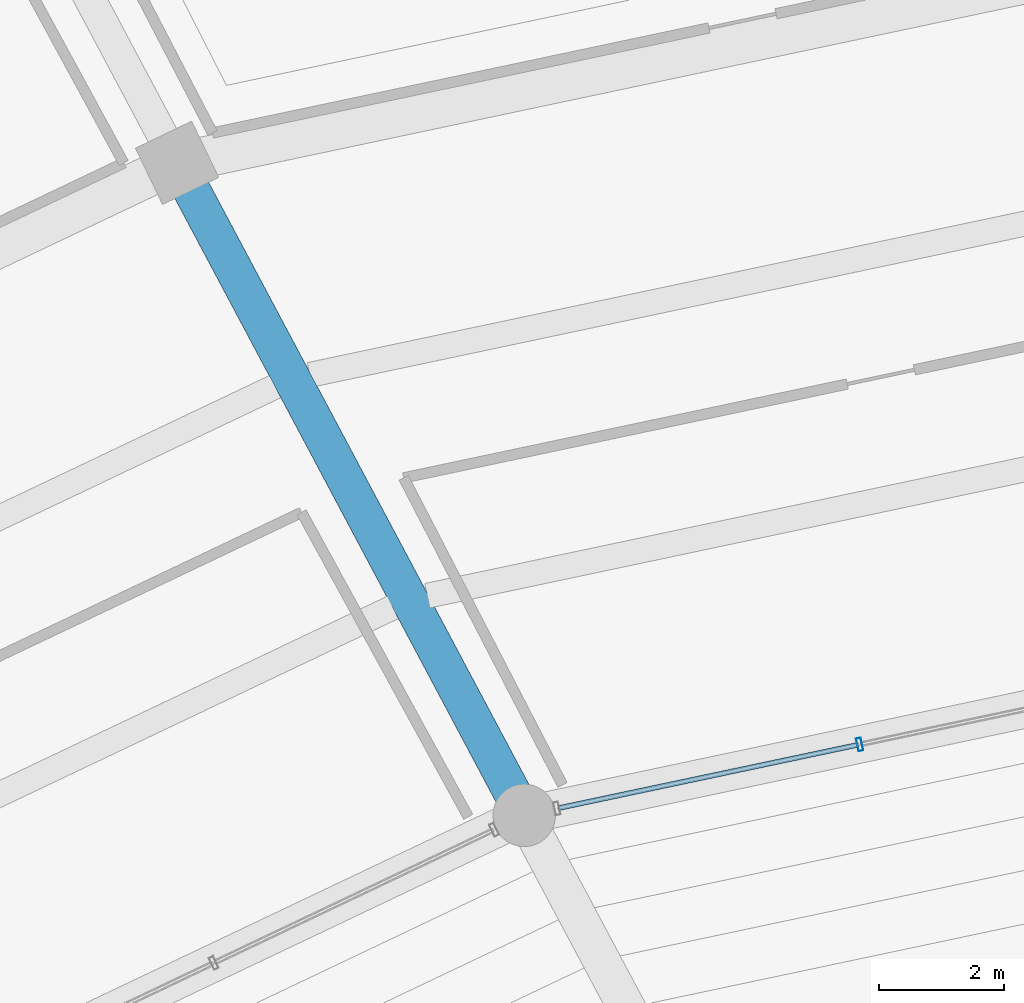
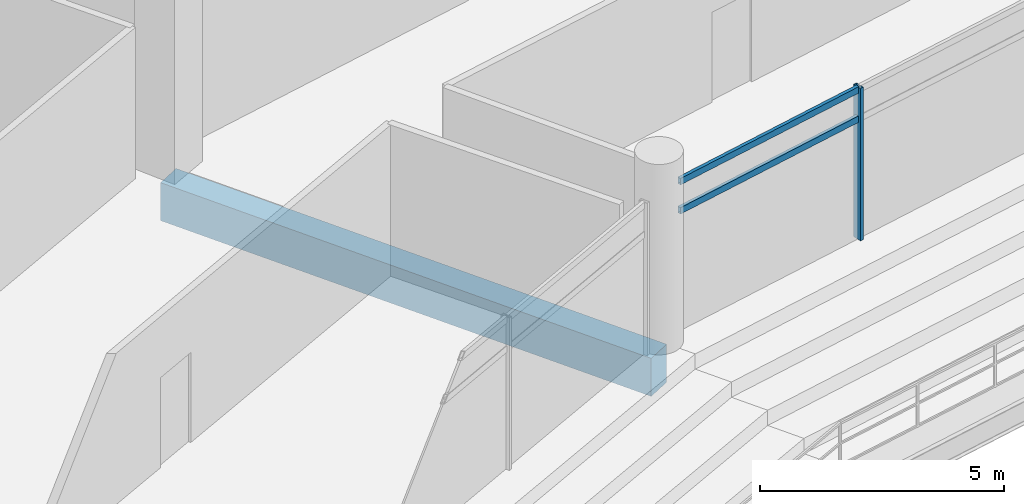
# One storey, part 90 of 171: 3 members, 1 beam, 1 element without a shape of its own.
"""IFC4 building model written with IfcOpenShell, lengths in metres."""

import ifcopenshell
import ifcopenshell.guid

model = None  # the IFC model being written
_history = None  # IfcOwnerHistory: only IFC2X3 demands one
_inside = {}  # id of a spatial element -> (the spatial element, [elements in it])
_under = {}  # id of a project, library or spatial element -> (it, [spatial elements below it])
_declared = {}  # id of a project -> (the project, [libraries it declares])
_typed = {}  # id of a type object -> (the type object, [elements of that type])
_made_of = {}  # id of a material, layer set ... -> (it, [elements and type objects made of it])


def new_model(schema):
    """Start an empty IFC model of exactly this schema.

    Asked for "IFC4X3", IfcOpenShell would pick the latest addendum, in which some entities
    have other attributes; the version numbers below select the first issue.
    IFC2X3 requires an IfcOwnerHistory on every rooted entity: one is made here for all.
    """
    global model, _history
    if schema == "IFC4X3":
        model = ifcopenshell.file(schema_version=(4, 3, 0, 0))
    else:
        model = ifcopenshell.file(schema=schema)
    _inside.clear()
    _under.clear()
    _declared.clear()
    _typed.clear()
    _made_of.clear()
    _history = None
    if model.schema == "IFC2X3":
        org = make("IfcOrganization", Name="unknown")
        user = make(
            "IfcPersonAndOrganization",
            ThePerson=make("IfcPerson", FamilyName="unknown"),
            TheOrganization=org,
        )
        app = make(
            "IfcApplication",
            ApplicationDeveloper=org,
            Version="unknown",
            ApplicationFullName="unknown",
            ApplicationIdentifier="unknown",
        )
        _history = make(
            "IfcOwnerHistory",
            OwningUser=user,
            OwningApplication=app,
            ChangeAction="ADDED",
            CreationDate=0,
        )
    return model


def make(cls, **values):
    """One entity of the class cls with the attributes given. An attribute that is None is left unset."""
    return model.create_entity(
        cls, **{name: value for name, value in values.items() if value is not None}
    )


def rooted(cls, **values):
    """An entity with a GlobalId (a new one), such as an element, a storey or a relation."""
    return make(cls, GlobalId=ifcopenshell.guid.new(), OwnerHistory=_history, **values)


def si_unit(unit_type, name, prefix=None):
    """IfcSIUnit, for example si_unit("LENGTHUNIT", "METRE", prefix="MILLI")."""
    return make("IfcSIUnit", UnitType=unit_type, Prefix=prefix, Name=name)


def assignment(units):
    """IfcUnitAssignment: the units of a project."""
    return None if units is None else make("IfcUnitAssignment", Units=units)


def point(xyz):
    """IfcCartesianPoint."""
    return None if xyz is None else make("IfcCartesianPoint", Coordinates=xyz)


def direction(xyz):
    """IfcDirection."""
    return None if xyz is None else make("IfcDirection", DirectionRatios=xyz)


def frame(location, z_axis=None, x_axis=None):
    """IfcAxis2Placement3D, a coordinate frame: its origin and axes. An axis left out is left unset."""
    return make(
        "IfcAxis2Placement3D",
        Location=point(location),
        Axis=direction(z_axis),
        RefDirection=direction(x_axis),
    )


def frame_2d(location, x_axis=None):
    """IfcAxis2Placement2D, a coordinate frame in the plane: its origin and x axis."""
    return make(
        "IfcAxis2Placement2D", Location=point(location), RefDirection=direction(x_axis)
    )


def origin():
    """The frame at (0, 0, 0) with its axes left unset."""
    return frame((0.0, 0.0, 0.0))


def origin_2d():
    """The frame at (0, 0) in the plane with its x axis left unset."""
    return frame_2d((0.0, 0.0))


def place(relative_to, where):
    """IfcLocalPlacement: puts the frame where relative to a parent placement (None: the world)."""
    return make(
        "IfcLocalPlacement", PlacementRelTo=relative_to, RelativePlacement=where
    )


def context(
    kind, dimensions, precision=None, world=None, true_north=None, identifier=None
):
    """IfcGeometricRepresentationContext, for example the 3D "Model" context."""
    return make(
        "IfcGeometricRepresentationContext",
        ContextIdentifier=identifier,
        ContextType=kind,
        CoordinateSpaceDimension=dimensions,
        Precision=precision,
        WorldCoordinateSystem=world,
        TrueNorth=true_north,
    )


def subcontext(parent, identifier, kind, view, scale=None):
    """IfcGeometricRepresentationSubContext, for example "Body" below "Model"."""
    return make(
        "IfcGeometricRepresentationSubContext",
        ContextIdentifier=identifier,
        ContextType=kind,
        ParentContext=parent,
        TargetScale=scale,
        TargetView=view,
    )


def project(units=None, contexts=None):
    """IfcProject with its units and contexts."""
    return rooted(
        "IfcProject",
        Name="project",
        RepresentationContexts=contexts,
        UnitsInContext=assignment(units),
    )


def spatial(cls, under=None, at=None, **own):
    """A site, building, storey or space (cls), placed at a placement, below another one or the project."""
    s = rooted(cls, ObjectPlacement=at, **own)
    if under is not None:
        _under.setdefault(under.id(), (under, []))[1].append(s)
    return s


def profile(cls, at=None, kind="AREA", **sizes):
    """A parametric profile (cls). Its sizes go by their IFC names, for example OverallWidth=200.0."""
    return make(cls, ProfileType=kind, Position=at, **sizes)


def rectangle(**sizes):
    """IfcRectangleProfileDef."""
    return profile("IfcRectangleProfileDef", **sizes)


def hollow_rectangle(**sizes):
    """IfcRectangleHollowProfileDef."""
    return profile("IfcRectangleHollowProfileDef", **sizes)


def extrude(swept, where, along, depth):
    """IfcExtrudedAreaSolid: the profile swept, set in the frame where, extruded along a direction by depth."""
    return make(
        "IfcExtrudedAreaSolid",
        SweptArea=swept,
        Position=where,
        ExtrudedDirection=direction(along),
        Depth=depth,
    )


def shape(context_of_items, identifier, shape_type, items):
    """IfcShapeRepresentation: the items that make up one representation, for example the "Body"."""
    return make(
        "IfcShapeRepresentation",
        ContextOfItems=context_of_items,
        RepresentationIdentifier=identifier,
        RepresentationType=shape_type,
        Items=items,
    )


def material(Name=None, Category=None):
    """IfcMaterial."""
    return make("IfcMaterial", Name=Name, Category=Category)


def layer(
    of_material, thickness, ventilated=None, Name=None, Category=None, Priority=None
):
    """IfcMaterialLayer: one layer of a wall or slab, of a material (None: an air gap)."""
    return make(
        "IfcMaterialLayer",
        Material=of_material,
        LayerThickness=thickness,
        IsVentilated=ventilated,
        Name=Name,
        Category=Category,
        Priority=Priority,
    )


def layer_set(layers, Name=None):
    """IfcMaterialLayerSet."""
    return make("IfcMaterialLayerSet", MaterialLayers=layers, LayerSetName=Name)


def material_profile(
    of_material, cross_section, Name=None, Category=None, Priority=None
):
    """IfcMaterialProfile: a cross section and its material."""
    return make(
        "IfcMaterialProfile",
        Name=Name,
        Material=of_material,
        Profile=cross_section,
        Priority=Priority,
        Category=Category,
    )


def profile_set(profiles, Name=None, composite=None):
    """IfcMaterialProfileSet."""
    return make(
        "IfcMaterialProfileSet",
        Name=Name,
        MaterialProfiles=profiles,
        CompositeProfile=composite,
    )


def made_of(thing, what):
    """Note that an element or type object is made of a material, layer set ...; save() writes the relation."""
    if what is not None:
        _made_of.setdefault(what.id(), (what, []))[1].append(thing)
    return thing


def type_object(cls, material=None, **own):
    """A type object (cls), such as IfcWallType, which elements share."""
    return made_of(rooted(cls, **own), material)


def element(
    cls,
    number,
    at=None,
    inside=None,
    cuts=None,
    type_object=None,
    material=None,
    context=None,
    identifier="Body",
    shape_type=None,
    held_by="IfcProductDefinitionShape",
    body=None,
    shapes=None,
    **own,
):
    """One element of the class cls, such as IfcWall. Its Tag is "e" and its number.

    at: its placement. inside: the storey or other place that contains it. cuts: it is an
    opening in that element (IfcRelVoidsElement). A single representation is given by context,
    identifier, shape_type and body (its items); several are given by shapes. held_by: the class
    of the entity that holds the representations. save() writes the other relations.
    """
    e = rooted(cls, Tag="e%d" % number, ObjectPlacement=at, **own)
    if body is not None:
        shapes = [shape(context, identifier, shape_type, body)]
    if shapes is not None:
        e.Representation = make(held_by, Representations=shapes)
    if inside is not None:
        _inside.setdefault(inside.id(), (inside, []))[1].append(e)
    if cuts is not None:
        rooted(
            "IfcRelVoidsElement", RelatingBuildingElement=cuts, RelatedOpeningElement=e
        )
    if type_object is not None:
        _typed.setdefault(type_object.id(), (type_object, []))[1].append(e)
    return made_of(e, material)


def aggregate(whole, parts):
    """IfcRelAggregates: a whole, such as a stair, and the parts it consists of."""
    return rooted("IfcRelAggregates", RelatingObject=whole, RelatedObjects=parts)


def save(model, path):
    """Write the relations noted so far, then the file.

    IfcRelAggregates (storeys below a building ...), IfcRelContainedInSpatialStructure (elements
    in a storey), IfcRelDefinesByType, IfcRelAssociatesMaterial and IfcRelDeclares: one each for
    every whole, place, type object, material and project.
    """
    for whole, parts in _under.values():
        aggregate(whole, parts)
    for where, things in _inside.values():
        rooted(
            "IfcRelContainedInSpatialStructure",
            RelatedElements=things,
            RelatingStructure=where,
        )
    for kind, things in _typed.values():
        rooted("IfcRelDefinesByType", RelatedObjects=things, RelatingType=kind)
    for what, things in _made_of.values():
        rooted("IfcRelAssociatesMaterial", RelatedObjects=things, RelatingMaterial=what)
    for by, libraries in _declared.values():
        rooted("IfcRelDeclares", RelatingContext=by, RelatedDefinitions=libraries)
    model.write(path)


model = new_model("IFC4")

# Units and contexts
model_context = context("Model", 3, precision=1e-05, world=origin(), true_north=direction((0.0, 1.0)))
body_context = subcontext(model_context, "Body", "Model", "MODEL_VIEW")
ifc_project = project(units=[si_unit("LENGTHUNIT", "METRE"), si_unit("AREAUNIT", "SQUARE_METRE"), si_unit("VOLUMEUNIT", "CUBIC_METRE"), si_unit("PLANEANGLEUNIT", "RADIAN"), si_unit("MASSUNIT", "GRAM", prefix="KILO")], contexts=[model_context])

# Site, building, storey
site_placement = place(None, origin())
site = spatial("IfcSite", under=ifc_project, at=site_placement, CompositionType="ELEMENT")
building_placement = place(site_placement, origin())
building = spatial("IfcBuilding", under=site, at=building_placement, Name="Kazemori Nagisa Stadium", CompositionType="ELEMENT")
storey_placement = place(building_placement, frame((0.0, 0.0, 15.639892578125)))
storey = spatial("IfcBuildingStorey", under=building, at=storey_placement, Name="L03", CompositionType="ELEMENT", Elevation=15.639892578125)

# Beam
ifc_material_1 = material(Name="Concrete C40/50 (Fc42)", Category="concrete")
ifc_material_profile_1 = material_profile(ifc_material_1, rectangle(XDim=0.60009765625, YDim=0.949951171875, at=origin_2d()), Name="RC-BM-600x950")
ifc_profile_set_1 = profile_set([ifc_material_profile_1], Name="Concrete C40/50 (Fc42)")
beam_type = type_object("IfcBeamType", Name="Beam_BG-RC600X950", PredefinedType="BEAM", material=ifc_profile_set_1)
beam_placement = place(storey_placement, frame((91.75244140625, 160.739013671875, -0.73486328125), z_axis=(-0.469646804203, 0.882854393036, 0.0), x_axis=(-0.882854393036, -0.469646804203, 0.0)))
element("IfcBeam", 1, at=beam_placement, inside=storey, type_object=beam_type, Name="Radial girder BG-RC600X950 L03 R1-R2-10", PredefinedType="BEAM", context=body_context, shape_type="SweptSolid", body=[
    extrude(rectangle(XDim=0.60009765625, YDim=0.949951171875, at=origin_2d()), origin(), (0.0, 0.0, 1.0), 11.84814453125),
])

# Curtain wall, members
ifc_material_2 = material(Name="Anodised aluminium 6063-T5", Category="aluminium")
ifc_layer = layer(ifc_material_2, 0.2099609375, Name="Anodised aluminium 6063-T5", Category="aluminium")
ifc_layer_set = layer_set([ifc_layer], Name="Anodised aluminium 6063-T5")
curtain_wall_type = type_object("IfcCurtainWallType", Name="CW_L03B_75", PredefinedType="USERDEFINED", material=ifc_layer_set)
curtain_wall_placement = place(storey_placement, origin())
curtain_wall = element("IfcCurtainWall", 2, at=curtain_wall_placement, inside=storey, type_object=curtain_wall_type, Name="Unitised curtain wall CW-L03B-75 L03", ObjectType="UNITISED CURTAIN WALL", PredefinedType="USERDEFINED")
ifc_material_3 = material(Name="Aluminium 6063-T5 anodised", Category="aluminium")
ifc_material_profile_2 = material_profile(ifc_material_3, hollow_rectangle(XDim=0.080078125, YDim=0.2099609375, WallThickness=0.0048828125, at=origin_2d()), Name="ALU-MULL-80x210x5")
ifc_profile_set_2 = profile_set([ifc_material_profile_2], Name="Aluminium 6063-T5 anodised")
member_type_1 = type_object("IfcMemberType", Name="Mullion_M02", PredefinedType="MULLION", material=ifc_profile_set_2)
member_1_placement = place(storey_placement, frame((97.128662109375, 161.876220703125, 0.0), z_axis=(0.0, 0.0, 1.0), x_axis=(-0.978344955407, -0.206981033502, 0.0)))
member_1 = element("IfcMember", 3, at=member_1_placement, type_object=member_type_1, Name="Curtain wall mullion CW-L03B-75-M3", PredefinedType="MULLION", context=body_context, shape_type="SweptSolid", body=[
    extrude(hollow_rectangle(XDim=0.080078125, YDim=0.2099609375, WallThickness=0.0048828125, at=origin_2d()), origin(), (0.0, 0.0, 1.0), 3.81005859375),
])
ifc_material_profile_3 = material_profile(ifc_material_3, hollow_rectangle(XDim=0.080078125, YDim=0.159912109375, WallThickness=0.00390625, at=origin_2d()), Name="ALU-TRAN-80x160x4")
ifc_profile_set_3 = profile_set([ifc_material_profile_3], Name="Aluminium 6063-T5 anodised")
member_type_2 = type_object("IfcMemberType", Name="Transom_T02", PredefinedType="USERDEFINED", material=ifc_profile_set_3)
member_2_placement = place(storey_placement, frame((97.109130859375, 161.8720703125, 3.010009765625), z_axis=(-0.978348737064, -0.206963157798, 0.0), x_axis=(0.206963157798, -0.978348737064, 0.0)))
member_2 = element("IfcMember", 4, at=member_2_placement, type_object=member_type_2, Name="Curtain wall transom CW-L03B-75-T3-mid", ObjectType="TRANSOM", PredefinedType="USERDEFINED", context=body_context, shape_type="SweptSolid", body=[
    extrude(hollow_rectangle(XDim=0.080078125, YDim=0.159912109375, WallThickness=0.00390625, at=origin_2d()), origin(), (0.0, 0.0, 1.0), 4.920166015625),
])
member_3_placement = place(storey_placement, frame((97.109130859375, 161.8720703125, 3.739990234375), z_axis=(-0.978348737064, -0.206963157798, 0.0), x_axis=(0.206963157798, -0.978348737064, 0.0)))
member_3 = element("IfcMember", 5, at=member_3_placement, type_object=member_type_2, Name="Curtain wall transom CW-L03B-75-T3-head", ObjectType="TRANSOM", PredefinedType="USERDEFINED", context=body_context, shape_type="SweptSolid", body=[
    extrude(hollow_rectangle(XDim=0.080078125, YDim=0.159912109375, WallThickness=0.00390625, at=origin_2d()), origin(), (0.0, 0.0, 1.0), 4.920166015625),
])
aggregate(curtain_wall, [member_1, member_2, member_3])

save(model, "model.ifc")
